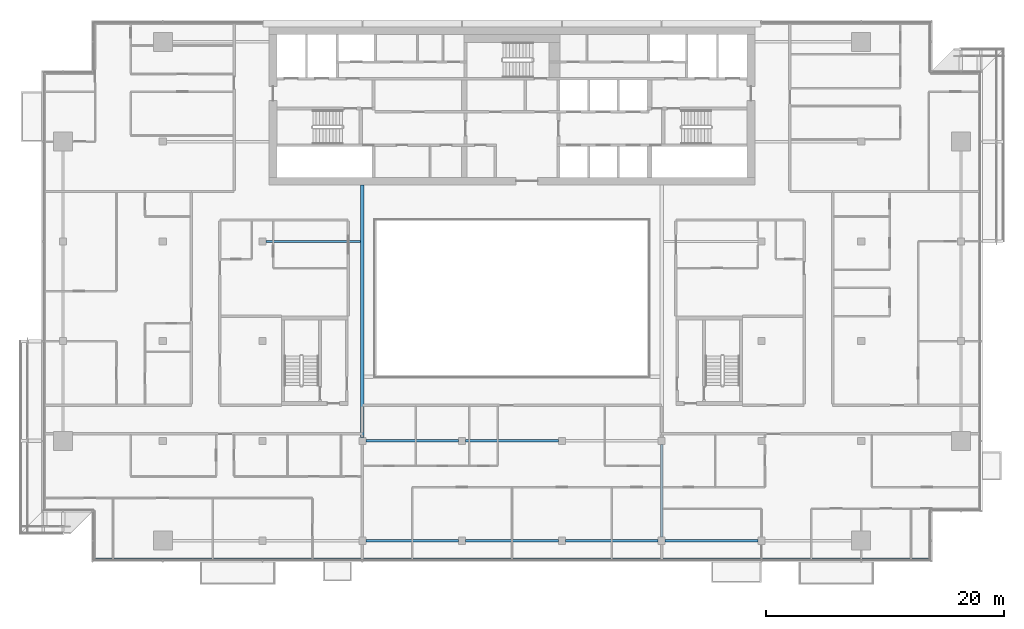
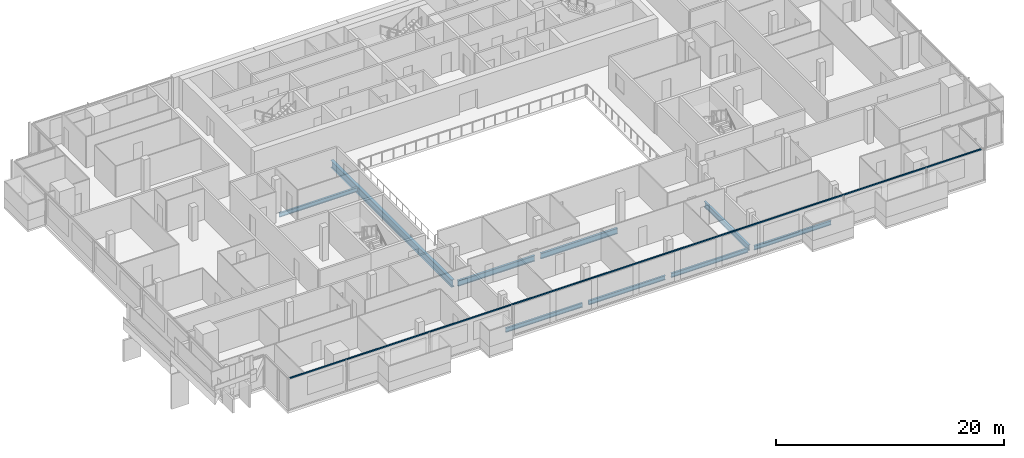
# One storey, part 5 of 30: 9 beams, 1 member, 1 element without a shape of its own.
"""IFC4 building model written with IfcOpenShell, lengths in metres."""

from ifc_helpers import new_model, si_unit, direction, frame, origin, origin_2d, place, context, subcontext, project, spatial, rectangle, i_section, extrude, material, material_profile, profile_set, type_object, element, aggregate, save


model = new_model("IFC4")

# Units and contexts
model_context = context("Model", 3, precision=1e-05, world=origin(), true_north=direction((0.0, 1.0)))
body_context = subcontext(model_context, "Body", "Model", "MODEL_VIEW")
ifc_project = project(units=[si_unit("LENGTHUNIT", "METRE"), si_unit("AREAUNIT", "SQUARE_METRE"), si_unit("VOLUMEUNIT", "CUBIC_METRE"), si_unit("PLANEANGLEUNIT", "RADIAN"), si_unit("MASSUNIT", "GRAM", prefix="KILO")], contexts=[model_context])

# Site, building, storey
site_placement = place(None, origin())
site = spatial("IfcSite", under=ifc_project, at=site_placement, CompositionType="ELEMENT")
building_placement = place(site_placement, origin())
building = spatial("IfcBuilding", under=site, at=building_placement, Name="Saffron Gate Tower", CompositionType="ELEMENT")
storey_placement = place(building_placement, frame((0.0, 0.0, 223.5)))
storey = spatial("IfcBuildingStorey", under=building, at=storey_placement, Name="L54", CompositionType="ELEMENT", Elevation=223.5)

# Beams
ifc_material_1 = material(Name="Structural steel S355", Category="steel")
ifc_material_profile_1 = material_profile(ifc_material_1, i_section(OverallWidth=0.219970703125, OverallDepth=0.60009765625, WebThickness=0.011962890625, FlangeThickness=0.01904296875, FilletRadius=0.02392578125, at=origin_2d()))
ifc_profile_set_1 = profile_set([ifc_material_profile_1], Name="Structural steel S355")
beam_type_1 = type_object("IfcBeamType", Name="B15 IPE 600", PredefinedType="BEAM", material=ifc_profile_set_1)
beam_1_placement = place(storey_placement, frame((100.199951171875, 32.10009765625, -0.580078125), z_axis=(0.0, 1.0, 0.0), x_axis=(-1.0, 0.0, 0.0)))
element("IfcBeam", 1, at=beam_1_placement, inside=storey, type_object=beam_type_1, Name="B15 FLOOR GIRDER", PredefinedType="BEAM", context=body_context, shape_type="SweptSolid", body=[
    extrude(i_section(OverallWidth=0.219970703125, OverallDepth=0.60009765625, WebThickness=0.011962890625, FlangeThickness=0.01904296875, FilletRadius=0.02392578125, at=origin_2d()), origin(), (0.0, 0.0, 1.0), 7.7998046875),
])
for number, where, z_axis, x_axis, name in (
    (2, (75.300048828125, 40.199951171875, -0.580078125), (1.0, 0.0, 0.0), (0.0, 1.0, 0.0), "B15 FLOOR GIRDER"),
    (3, (83.699951171875, 40.199951171875, -0.580078125), (1.0, 0.0, 0.0), (0.0, 1.0, 0.0), "B15 FLOOR GIRDER"),
):
    element("IfcBeam", number, at=place(storey_placement, frame(where, z_axis=z_axis, x_axis=x_axis)), inside=storey, type_object=beam_type_1, Name=name, PredefinedType="BEAM", context=body_context, shape_type="SweptSolid", body=[
        extrude(i_section(OverallWidth=0.219970703125, OverallDepth=0.60009765625, WebThickness=0.011962890625, FlangeThickness=0.01904296875, FilletRadius=0.02392578125, at=origin_2d()), origin(), (0.0, 0.0, 1.0), 7.800048828125),
    ])
ifc_material_profile_2 = material_profile(ifc_material_1, i_section(OverallWidth=0.300048828125, OverallDepth=0.7900390625, WebThickness=0.014892578125, FlangeThickness=0.028076171875, FilletRadius=0.030029296875, at=origin_2d()))
ifc_profile_set_2 = profile_set([ifc_material_profile_2], Name="Structural steel S355")
beam_type_2 = type_object("IfcBeamType", Name="B18 HEA 800", PredefinedType="BEAM", material=ifc_profile_set_2)
beam_2_placement = place(storey_placement, frame((75.0, 40.5, -0.675048828125), z_axis=(0.0, 1.0, 0.0), x_axis=(-1.0, 0.0, 0.0)))
element("IfcBeam", 4, at=beam_2_placement, inside=storey, type_object=beam_type_2, Name="B18 ATRIUM GIRDER", PredefinedType="BEAM", context=body_context, shape_type="SweptSolid", body=[
    extrude(i_section(OverallWidth=0.300048828125, OverallDepth=0.7900390625, WebThickness=0.014892578125, FlangeThickness=0.028076171875, FilletRadius=0.030029296875, at=origin_2d()), origin(), (0.0, 0.0, 1.0), 21.25),
])
ifc_material_profile_3 = material_profile(ifc_material_1, i_section(OverallWidth=0.18994140625, OverallDepth=0.449951171875, WebThickness=0.009521484375, FlangeThickness=0.0146484375, FilletRadius=0.02099609375, at=origin_2d()))
ifc_profile_set_3 = profile_set([ifc_material_profile_3], Name="Structural steel S355")
beam_type_3 = type_object("IfcBeamType", Name="B6 IPE 450", PredefinedType="BEAM", material=ifc_profile_set_3)
beam_3_placement = place(storey_placement, frame((66.89990234375, 57.0, -0.5048828125), z_axis=(1.0, 0.0, 0.0), x_axis=(0.0, 1.0, 0.0)))
element("IfcBeam", 5, at=beam_3_placement, inside=storey, type_object=beam_type_3, Name="B6 CORE TIE BEAM", PredefinedType="BEAM", context=body_context, shape_type="SweptSolid", body=[
    extrude(i_section(OverallWidth=0.18994140625, OverallDepth=0.449951171875, WebThickness=0.009521484375, FlangeThickness=0.0146484375, FilletRadius=0.02099609375, at=origin_2d()), origin(), (0.0, 0.0, 1.0), 7.9501953125),
])
ifc_material_profile_4 = material_profile(ifc_material_1, i_section(OverallWidth=0.18994140625, OverallDepth=0.449951171875, WebThickness=0.009521484375, FlangeThickness=0.0146484375, FilletRadius=0.02099609375, at=origin_2d()))
ifc_profile_set_4 = profile_set([ifc_material_profile_4], Name="Structural steel S355")
beam_type_4 = type_object("IfcBeamType", Name="B7 IPE 450", PredefinedType="SPANDREL", material=ifc_profile_set_4)
for number, where, z_axis, x_axis, name in (
    (6, (75.300048828125, 31.800048828125, -0.5048828125), (1.0, 0.0, 0.0), (0.0, 1.0, 0.0), "B7 SPANDREL BEAM"),
    (7, (83.699951171875, 31.800048828125, -0.5048828125), (1.0, 0.0, 0.0), (0.0, 1.0, 0.0), "B7 SPANDREL BEAM"),
):
    element("IfcBeam", number, at=place(storey_placement, frame(where, z_axis=z_axis, x_axis=x_axis)), inside=storey, type_object=beam_type_4, Name=name, PredefinedType="SPANDREL", context=body_context, shape_type="SweptSolid", body=[
        extrude(i_section(OverallWidth=0.18994140625, OverallDepth=0.449951171875, WebThickness=0.009521484375, FlangeThickness=0.0146484375, FilletRadius=0.02099609375, at=origin_2d()), origin(), (0.0, 0.0, 1.0), 7.800048828125),
    ])
beam_4_placement = place(storey_placement, frame((92.10009765625, 31.800048828125, -0.5048828125), z_axis=(1.0, 0.0, 0.0), x_axis=(0.0, 1.0, 0.0)))
element("IfcBeam", 8, at=beam_4_placement, inside=storey, type_object=beam_type_4, Name="B7 SPANDREL BEAM", PredefinedType="SPANDREL", context=body_context, shape_type="SweptSolid", body=[
    extrude(i_section(OverallWidth=0.18994140625, OverallDepth=0.449951171875, WebThickness=0.009521484375, FlangeThickness=0.0146484375, FilletRadius=0.02099609375, at=origin_2d()), origin(), (0.0, 0.0, 1.0), 7.7998046875),
])
beam_5_placement = place(storey_placement, frame((100.5, 31.800048828125, -0.5048828125), z_axis=(1.0, 0.0, 0.0), x_axis=(0.0, 1.0, 0.0)))
element("IfcBeam", 9, at=beam_5_placement, inside=storey, type_object=beam_type_4, Name="B7 SPANDREL BEAM", PredefinedType="SPANDREL", context=body_context, shape_type="SweptSolid", body=[
    extrude(i_section(OverallWidth=0.18994140625, OverallDepth=0.449951171875, WebThickness=0.009521484375, FlangeThickness=0.0146484375, FilletRadius=0.02099609375, at=origin_2d()), origin(), (0.0, 0.0, 1.0), 7.800048828125),
])

# Curtain wall, member
ifc_material_2 = material(Name="Aluminium, bronze anodised", Category="aluminium")
curtain_wall_type = type_object("IfcCurtainWallType", Name="CWS1 curtain wall front facade", PredefinedType="NOTDEFINED", material=ifc_material_2)
curtain_wall_placement = place(storey_placement, origin())
curtain_wall = element("IfcCurtainWall", 10, at=curtain_wall_placement, inside=storey, type_object=curtain_wall_type, Name="CWS1 run 1", PredefinedType="NOTDEFINED")
ifc_material_profile_5 = material_profile(ifc_material_2, rectangle(XDim=0.1201171875, YDim=0.1201171875, at=origin_2d()))
ifc_profile_set_5 = profile_set([ifc_material_profile_5], Name="Aluminium, bronze anodised")
member_type = type_object("IfcMemberType", Name="CWS1 head transom", PredefinedType="USERDEFINED", material=ifc_profile_set_5)
member_placement = place(storey_placement, frame((52.568115234375, 30.248046875, 3.260009765625), z_axis=(1.0, 0.0, 0.0), x_axis=(0.0, 1.0, 0.0)))
member = element("IfcMember", 11, at=member_placement, type_object=member_type, Name="CWS1 head transom", ObjectType="TRANSOM", PredefinedType="USERDEFINED", context=body_context, shape_type="SweptSolid", body=[
    extrude(rectangle(XDim=0.1201171875, YDim=0.1201171875, at=origin_2d()), origin(), (0.0, 0.0, 1.0), 70.06396484375),
])
aggregate(curtain_wall, [member])

save(model, "model.ifc")
